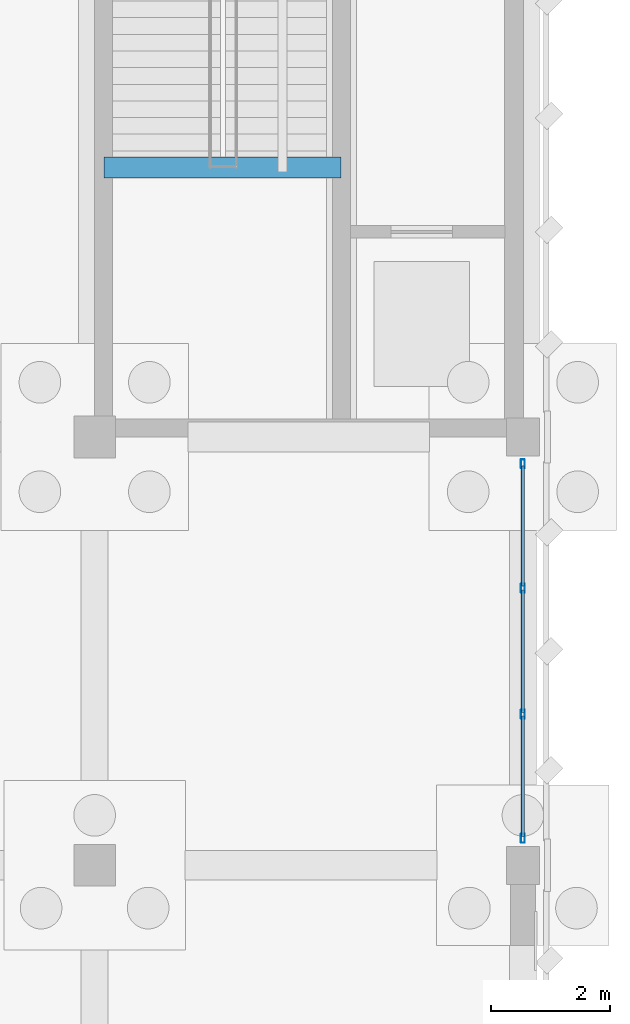
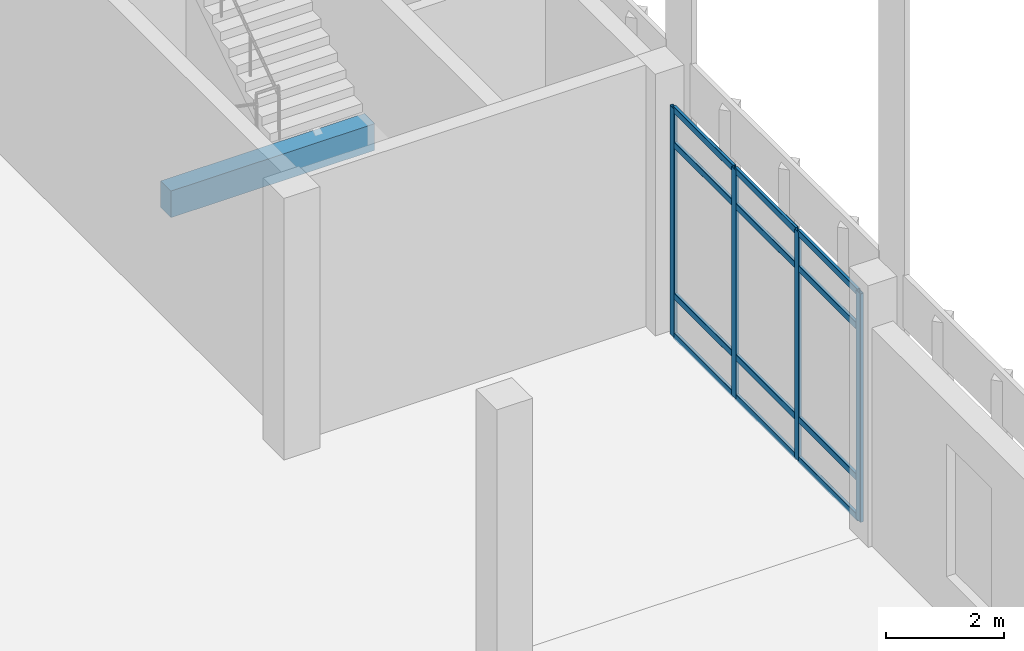
# One storey, part 71 of 109: 16 members, 1 beam, 1 element without a shape of its own.
"""IFC4 building model written with IfcOpenShell, lengths in metres."""

from ifc_helpers import new_model, si_unit, direction, frame, origin, origin_2d, place, context, subcontext, project, spatial, rectangle, hollow_rectangle, extrude, material, material_profile, profile_set, type_object, element, aggregate, save


model = new_model("IFC4")

# Units and contexts
model_context = context("Model", 3, precision=1e-05, world=origin(), true_north=direction((0.0, 1.0)))
body_context = subcontext(model_context, "Body", "Model", "MODEL_VIEW")
ifc_project = project(units=[si_unit("LENGTHUNIT", "METRE"), si_unit("AREAUNIT", "SQUARE_METRE"), si_unit("VOLUMEUNIT", "CUBIC_METRE"), si_unit("PLANEANGLEUNIT", "RADIAN"), si_unit("MASSUNIT", "GRAM", prefix="KILO")], contexts=[model_context])

# Site, building, storey
site_placement = place(None, origin())
site = spatial("IfcSite", under=ifc_project, at=site_placement, CompositionType="ELEMENT")
building_placement = place(site_placement, origin())
building = spatial("IfcBuilding", under=site, at=building_placement, Name="Lusvemor Sports Hall", CompositionType="ELEMENT")
storey_placement = place(building_placement, origin())
storey = spatial("IfcBuildingStorey", under=building, at=storey_placement, Name="L00", CompositionType="ELEMENT", Elevation=0.0)

# Beam
ifc_material_1 = material(Name="Concrete C40/50", Category="concrete")
ifc_material_profile_1 = material_profile(ifc_material_1, rectangle(XDim=0.35009765625, YDim=0.550048828125, at=origin_2d()), Name="RC350x550")
ifc_profile_set_1 = profile_set([ifc_material_profile_1], Name="Concrete C40/50")
beam_type = type_object("IfcBeamType", Name="BEAM_RC_550", PredefinedType="BEAM", material=ifc_profile_set_1)
beam_placement = place(storey_placement, frame((162.159912109375, 108.929931640625, 2.2451171875), z_axis=(1.0, 0.0, 0.0), x_axis=(0.0, 1.0, 0.0)))
element("IfcBeam", 1, at=beam_placement, inside=storey, type_object=beam_type, Name="Stair STR-C5-L00 Mid-Landing Beam", PredefinedType="BEAM", context=body_context, shape_type="SweptSolid", body=[
    extrude(rectangle(XDim=0.35009765625, YDim=0.550048828125, at=origin_2d()), origin(), (0.0, 0.0, 1.0), 3.97998046875),
])

# Curtain wall, members
ifc_material_2 = material(Name="Thermally broken bronze-anodized aluminium", Category="aluminium")
curtain_wall_type = type_object("IfcCurtainWallType", Name="CW_WING_B", PredefinedType="NOTDEFINED", material=ifc_material_2)
curtain_wall_placement = place(storey_placement, origin())
curtain_wall = element("IfcCurtainWall", 2, at=curtain_wall_placement, inside=storey, type_object=curtain_wall_type, Name="Curtain Wall CW-L00-E-2-2", PredefinedType="NOTDEFINED")
ifc_material_3 = material(Name="Thermally broken bronze-anodized aluminium", Category="aluminium")
ifc_material_profile_2 = material_profile(ifc_material_3, hollow_rectangle(XDim=0.06494140625, YDim=0.14990234375, WallThickness=0.00390625, InnerFilletRadius=0.00390625, OuterFilletRadius=0.008056640625, at=origin_2d()), Name="CWMUL150x65x4")
ifc_profile_set_2 = profile_set([ifc_material_profile_2], Name="Thermally broken bronze-anodized aluminium")
member_type_1 = type_object("IfcMemberType", Name="CW_MUL_B", PredefinedType="MULLION", material=ifc_profile_set_2)
member_1_placement = place(storey_placement, frame((169.199951171875, 103.947509765625, 0.0), z_axis=(0.0, 0.0, 1.0), x_axis=(1.0, 0.0, 0.0)))
member_1 = element("IfcMember", 3, at=member_1_placement, type_object=member_type_1, Name="CW02 mullion 1", PredefinedType="MULLION", context=body_context, shape_type="SweptSolid", body=[
    extrude(hollow_rectangle(XDim=0.06494140625, YDim=0.14990234375, WallThickness=0.00390625, InnerFilletRadius=0.00390625, OuterFilletRadius=0.008056640625, at=origin_2d()), origin(), (0.0, 0.0, 1.0), 4.719970703125),
])
member_2_placement = place(storey_placement, frame((169.199951171875, 101.860107421875, 0.0), z_axis=(0.0, 0.0, 1.0), x_axis=(1.0, 0.0, 0.0)))
member_2 = element("IfcMember", 4, at=member_2_placement, type_object=member_type_1, Name="CW02 mullion 2", PredefinedType="MULLION", context=body_context, shape_type="SweptSolid", body=[
    extrude(hollow_rectangle(XDim=0.06494140625, YDim=0.14990234375, WallThickness=0.00390625, InnerFilletRadius=0.00390625, OuterFilletRadius=0.008056640625, at=origin_2d()), origin(), (0.0, 0.0, 1.0), 4.719970703125),
])
member_3_placement = place(storey_placement, frame((169.199951171875, 99.739990234375, 0.0), z_axis=(0.0, 0.0, 1.0), x_axis=(1.0, 0.0, 0.0)))
member_3 = element("IfcMember", 5, at=member_3_placement, type_object=member_type_1, Name="CW02 mullion 3", PredefinedType="MULLION", context=body_context, shape_type="SweptSolid", body=[
    extrude(hollow_rectangle(XDim=0.06494140625, YDim=0.14990234375, WallThickness=0.00390625, InnerFilletRadius=0.00390625, OuterFilletRadius=0.008056640625, at=origin_2d()), origin(), (0.0, 0.0, 1.0), 4.719970703125),
])
member_4_placement = place(storey_placement, frame((169.199951171875, 97.652587890625, 0.0), z_axis=(0.0, 0.0, 1.0), x_axis=(1.0, 0.0, 0.0)))
member_4 = element("IfcMember", 6, at=member_4_placement, type_object=member_type_1, Name="CW02 mullion 4", PredefinedType="MULLION", context=body_context, shape_type="SweptSolid", body=[
    extrude(hollow_rectangle(XDim=0.06494140625, YDim=0.14990234375, WallThickness=0.00390625, InnerFilletRadius=0.00390625, OuterFilletRadius=0.008056640625, at=origin_2d()), origin(), (0.0, 0.0, 1.0), 4.719970703125),
])
ifc_material_4 = material(Name="Thermally broken bronze-anodized aluminium", Category="aluminium")
ifc_material_profile_3 = material_profile(ifc_material_4, hollow_rectangle(XDim=0.06005859375, YDim=0.135009765625, WallThickness=0.00390625, InnerFilletRadius=0.00390625, OuterFilletRadius=0.008056640625, at=origin_2d()), Name="CWTRN135x60x4")
ifc_profile_set_3 = profile_set([ifc_material_profile_3], Name="Thermally broken bronze-anodized aluminium")
member_type_2 = type_object("IfcMemberType", Name="CW_TRN_B", PredefinedType="USERDEFINED", material=ifc_profile_set_3)
member_5_placement = place(storey_placement, frame((169.199951171875, 103.9150390625, 0.030029296875), z_axis=(0.0, -1.0, 0.0), x_axis=(1.0, 0.0, 0.0)))
member_5 = element("IfcMember", 7, at=member_5_placement, type_object=member_type_2, Name="CW02 transom 1.1", ObjectType="TRANSOM", PredefinedType="USERDEFINED", context=body_context, shape_type="SweptSolid", body=[
    extrude(hollow_rectangle(XDim=0.06005859375, YDim=0.135009765625, WallThickness=0.00390625, InnerFilletRadius=0.00390625, OuterFilletRadius=0.008056640625, at=origin_2d()), origin(), (0.0, 0.0, 1.0), 2.0224609375),
])
member_6_placement = place(storey_placement, frame((169.199951171875, 103.9150390625, 0.85009765625), z_axis=(0.0, -1.0, 0.0), x_axis=(1.0, 0.0, 0.0)))
member_6 = element("IfcMember", 8, at=member_6_placement, type_object=member_type_2, Name="CW02 transom 1.2", ObjectType="TRANSOM", PredefinedType="USERDEFINED", context=body_context, shape_type="SweptSolid", body=[
    extrude(hollow_rectangle(XDim=0.06005859375, YDim=0.135009765625, WallThickness=0.00390625, InnerFilletRadius=0.00390625, OuterFilletRadius=0.008056640625, at=origin_2d()), origin(), (0.0, 0.0, 1.0), 2.0224609375),
])
member_7_placement = place(storey_placement, frame((169.199951171875, 103.9150390625, 3.969970703125), z_axis=(0.0, -1.0, 0.0), x_axis=(1.0, 0.0, 0.0)))
member_7 = element("IfcMember", 9, at=member_7_placement, type_object=member_type_2, Name="CW02 transom 1.3", ObjectType="TRANSOM", PredefinedType="USERDEFINED", context=body_context, shape_type="SweptSolid", body=[
    extrude(hollow_rectangle(XDim=0.06005859375, YDim=0.135009765625, WallThickness=0.00390625, InnerFilletRadius=0.00390625, OuterFilletRadius=0.008056640625, at=origin_2d()), origin(), (0.0, 0.0, 1.0), 2.0224609375),
])
member_8_placement = place(storey_placement, frame((169.199951171875, 103.9150390625, 4.68994140625), z_axis=(0.0, -1.0, 0.0), x_axis=(1.0, 0.0, 0.0)))
member_8 = element("IfcMember", 10, at=member_8_placement, type_object=member_type_2, Name="CW02 transom 1.4", ObjectType="TRANSOM", PredefinedType="USERDEFINED", context=body_context, shape_type="SweptSolid", body=[
    extrude(hollow_rectangle(XDim=0.06005859375, YDim=0.135009765625, WallThickness=0.00390625, InnerFilletRadius=0.00390625, OuterFilletRadius=0.008056640625, at=origin_2d()), origin(), (0.0, 0.0, 1.0), 2.0224609375),
])
member_9_placement = place(storey_placement, frame((169.199951171875, 101.827392578125, 0.030029296875), z_axis=(0.0, -1.0, 0.0), x_axis=(1.0, 0.0, 0.0)))
member_9 = element("IfcMember", 11, at=member_9_placement, type_object=member_type_2, Name="CW02 transom 2.1", ObjectType="TRANSOM", PredefinedType="USERDEFINED", context=body_context, shape_type="SweptSolid", body=[
    extrude(hollow_rectangle(XDim=0.06005859375, YDim=0.135009765625, WallThickness=0.00390625, InnerFilletRadius=0.00390625, OuterFilletRadius=0.008056640625, at=origin_2d()), origin(), (0.0, 0.0, 1.0), 2.054931640625),
])
member_10_placement = place(storey_placement, frame((169.199951171875, 101.827392578125, 0.85009765625), z_axis=(0.0, -1.0, 0.0), x_axis=(1.0, 0.0, 0.0)))
member_10 = element("IfcMember", 12, at=member_10_placement, type_object=member_type_2, Name="CW02 transom 2.2", ObjectType="TRANSOM", PredefinedType="USERDEFINED", context=body_context, shape_type="SweptSolid", body=[
    extrude(hollow_rectangle(XDim=0.06005859375, YDim=0.135009765625, WallThickness=0.00390625, InnerFilletRadius=0.00390625, OuterFilletRadius=0.008056640625, at=origin_2d()), origin(), (0.0, 0.0, 1.0), 2.054931640625),
])
member_11_placement = place(storey_placement, frame((169.199951171875, 101.827392578125, 3.969970703125), z_axis=(0.0, -1.0, 0.0), x_axis=(1.0, 0.0, 0.0)))
member_11 = element("IfcMember", 13, at=member_11_placement, type_object=member_type_2, Name="CW02 transom 2.3", ObjectType="TRANSOM", PredefinedType="USERDEFINED", context=body_context, shape_type="SweptSolid", body=[
    extrude(hollow_rectangle(XDim=0.06005859375, YDim=0.135009765625, WallThickness=0.00390625, InnerFilletRadius=0.00390625, OuterFilletRadius=0.008056640625, at=origin_2d()), origin(), (0.0, 0.0, 1.0), 2.054931640625),
])
member_12_placement = place(storey_placement, frame((169.199951171875, 101.827392578125, 4.68994140625), z_axis=(0.0, -1.0, 0.0), x_axis=(1.0, 0.0, 0.0)))
member_12 = element("IfcMember", 14, at=member_12_placement, type_object=member_type_2, Name="CW02 transom 2.4", ObjectType="TRANSOM", PredefinedType="USERDEFINED", context=body_context, shape_type="SweptSolid", body=[
    extrude(hollow_rectangle(XDim=0.06005859375, YDim=0.135009765625, WallThickness=0.00390625, InnerFilletRadius=0.00390625, OuterFilletRadius=0.008056640625, at=origin_2d()), origin(), (0.0, 0.0, 1.0), 2.054931640625),
])
member_13_placement = place(storey_placement, frame((169.199951171875, 99.70751953125, 0.030029296875), z_axis=(0.0, -1.0, 0.0), x_axis=(1.0, 0.0, 0.0)))
member_13 = element("IfcMember", 15, at=member_13_placement, type_object=member_type_2, Name="CW02 transom 3.1", ObjectType="TRANSOM", PredefinedType="USERDEFINED", context=body_context, shape_type="SweptSolid", body=[
    extrude(hollow_rectangle(XDim=0.06005859375, YDim=0.135009765625, WallThickness=0.00390625, InnerFilletRadius=0.00390625, OuterFilletRadius=0.008056640625, at=origin_2d()), origin(), (0.0, 0.0, 1.0), 2.0224609375),
])
member_14_placement = place(storey_placement, frame((169.199951171875, 99.70751953125, 0.85009765625), z_axis=(0.0, -1.0, 0.0), x_axis=(1.0, 0.0, 0.0)))
member_14 = element("IfcMember", 16, at=member_14_placement, type_object=member_type_2, Name="CW02 transom 3.2", ObjectType="TRANSOM", PredefinedType="USERDEFINED", context=body_context, shape_type="SweptSolid", body=[
    extrude(hollow_rectangle(XDim=0.06005859375, YDim=0.135009765625, WallThickness=0.00390625, InnerFilletRadius=0.00390625, OuterFilletRadius=0.008056640625, at=origin_2d()), origin(), (0.0, 0.0, 1.0), 2.0224609375),
])
member_15_placement = place(storey_placement, frame((169.199951171875, 99.70751953125, 3.969970703125), z_axis=(0.0, -1.0, 0.0), x_axis=(1.0, 0.0, 0.0)))
member_15 = element("IfcMember", 17, at=member_15_placement, type_object=member_type_2, Name="CW02 transom 3.3", ObjectType="TRANSOM", PredefinedType="USERDEFINED", context=body_context, shape_type="SweptSolid", body=[
    extrude(hollow_rectangle(XDim=0.06005859375, YDim=0.135009765625, WallThickness=0.00390625, InnerFilletRadius=0.00390625, OuterFilletRadius=0.008056640625, at=origin_2d()), origin(), (0.0, 0.0, 1.0), 2.0224609375),
])
member_16_placement = place(storey_placement, frame((169.199951171875, 99.70751953125, 4.68994140625), z_axis=(0.0, -1.0, 0.0), x_axis=(1.0, 0.0, 0.0)))
member_16 = element("IfcMember", 18, at=member_16_placement, type_object=member_type_2, Name="CW02 transom 3.4", ObjectType="TRANSOM", PredefinedType="USERDEFINED", context=body_context, shape_type="SweptSolid", body=[
    extrude(hollow_rectangle(XDim=0.06005859375, YDim=0.135009765625, WallThickness=0.00390625, InnerFilletRadius=0.00390625, OuterFilletRadius=0.008056640625, at=origin_2d()), origin(), (0.0, 0.0, 1.0), 2.0224609375),
])
aggregate(curtain_wall, [member_1, member_2, member_3, member_4, member_5, member_6, member_7, member_8, member_9, member_10, member_11, member_12, member_13, member_14, member_15, member_16])

save(model, "model.ifc")
